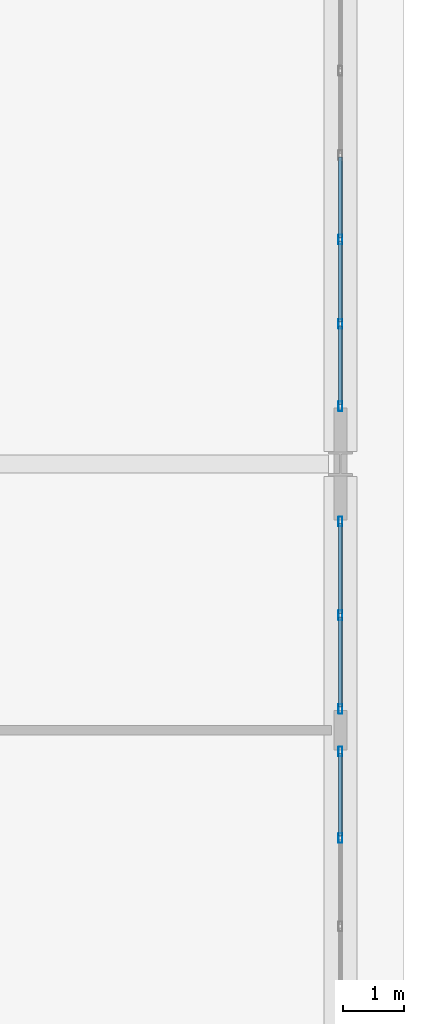
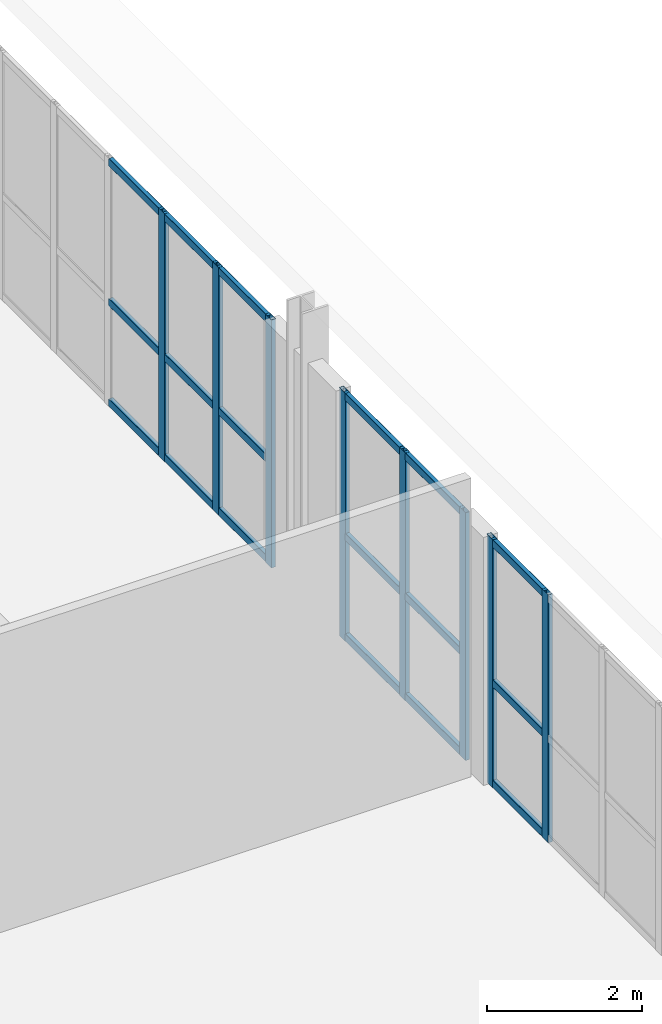
# One storey, part 24 of 36: 26 members, 3 elements without a shape of their own.
"""IFC4 building model written with IfcOpenShell, lengths in metres."""

from ifc_helpers import new_model, si_unit, direction, frame, origin, origin_2d, place, context, subcontext, project, spatial, hollow_rectangle, extrude, material, layer, layer_set, material_profile, profile_set, type_object, element, aggregate, save


model = new_model("IFC4")

# Units and contexts
model_context = context("Model", 3, precision=1e-05, world=origin(), true_north=direction((0.0, 1.0)))
body_context = subcontext(model_context, "Body", "Model", "MODEL_VIEW")
ifc_project = project(units=[si_unit("LENGTHUNIT", "METRE"), si_unit("AREAUNIT", "SQUARE_METRE"), si_unit("VOLUMEUNIT", "CUBIC_METRE"), si_unit("PLANEANGLEUNIT", "RADIAN"), si_unit("MASSUNIT", "GRAM", prefix="KILO")], contexts=[model_context])

# Site, building, storey
site_placement = place(None, origin())
site = spatial("IfcSite", under=ifc_project, at=site_placement, CompositionType="ELEMENT")
building_placement = place(site_placement, origin())
building = spatial("IfcBuilding", under=site, at=building_placement, Name="Kaelvorn Grand Hotel", CompositionType="ELEMENT")
storey_placement = place(building_placement, frame((0.0, 0.0, 305.699951171875)))
storey = spatial("IfcBuildingStorey", under=building, at=storey_placement, Name="L74", CompositionType="ELEMENT", Elevation=305.699951171875)

# Curtain wall, members
ifc_material = material(Name="Anodised Aluminium", Category="aluminium")
ifc_layer = layer(ifc_material, 0.159912109375)
ifc_layer_set = layer_set([ifc_layer], Name="Anodised Aluminium")
curtain_wall_type = type_object("IfcCurtainWallType", Name="CW-SYS6", PredefinedType="NOTDEFINED", material=ifc_layer_set)
curtain_wall_1_placement = place(storey_placement, origin())
curtain_wall_1 = element("IfcCurtainWall", 1, at=curtain_wall_1_placement, inside=storey, type_object=curtain_wall_type, Name="L74 Unitised Curtain Wall CW6 (CW-L74-E-02)", PredefinedType="NOTDEFINED")
ifc_material_profile_1 = material_profile(ifc_material, hollow_rectangle(XDim=0.06494140625, YDim=0.159912109375, WallThickness=0.00341796875, InnerFilletRadius=0.00341796875, OuterFilletRadius=0.007080078125, at=origin_2d()), Name="ALU MULL 65x160")
ifc_profile_set_1 = profile_set([ifc_material_profile_1], Name="Anodised Aluminium")
member_type_1 = type_object("IfcMemberType", Name="CW-SYS6-MULL", PredefinedType="MULLION", material=ifc_profile_set_1)
member_1_placement = place(storey_placement, frame((75.0, 23.219970703125, 0.0), z_axis=(0.0, 0.0, 1.0), x_axis=(-1.0, 0.0, 0.0)))
member_1 = element("IfcMember", 2, at=member_1_placement, type_object=member_type_1, Name="CW6 mullion 6", PredefinedType="MULLION", context=body_context, shape_type="SweptSolid", body=[
    extrude(hollow_rectangle(XDim=0.06494140625, YDim=0.159912109375, WallThickness=0.00341796875, InnerFilletRadius=0.00341796875, OuterFilletRadius=0.007080078125, at=origin_2d()), origin(), (0.0, 0.0, 1.0), 3.900146484375),
])
member_2_placement = place(storey_placement, frame((75.0, 24.6474609375, 0.0), z_axis=(0.0, 0.0, 1.0), x_axis=(-1.0, 0.0, 0.0)))
member_2 = element("IfcMember", 3, at=member_2_placement, type_object=member_type_1, Name="CW6 mullion 7", PredefinedType="MULLION", context=body_context, shape_type="SweptSolid", body=[
    extrude(hollow_rectangle(XDim=0.06494140625, YDim=0.159912109375, WallThickness=0.00341796875, InnerFilletRadius=0.00341796875, OuterFilletRadius=0.007080078125, at=origin_2d()), origin(), (0.0, 0.0, 1.0), 3.900146484375),
])

curtain_wall_2_placement = place(storey_placement, origin())
curtain_wall_2 = element("IfcCurtainWall", 4, at=curtain_wall_2_placement, inside=storey, type_object=curtain_wall_type, Name="L74 Unitised Curtain Wall CW6 (CW-L74-E-03)", PredefinedType="NOTDEFINED")
member_3_placement = place(storey_placement, frame((75.0, 25.3525390625, 0.0), z_axis=(0.0, 0.0, 1.0), x_axis=(-1.0, 0.0, 0.0)))
member_3 = element("IfcMember", 5, at=member_3_placement, type_object=member_type_1, Name="CW6 mullion 1", PredefinedType="MULLION", context=body_context, shape_type="SweptSolid", body=[
    extrude(hollow_rectangle(XDim=0.06494140625, YDim=0.159912109375, WallThickness=0.00341796875, InnerFilletRadius=0.00341796875, OuterFilletRadius=0.007080078125, at=origin_2d()), origin(), (0.0, 0.0, 1.0), 3.900146484375),
])
member_4_placement = place(storey_placement, frame((75.0, 26.89990234375, 0.0), z_axis=(0.0, 0.0, 1.0), x_axis=(-1.0, 0.0, 0.0)))
member_4 = element("IfcMember", 6, at=member_4_placement, type_object=member_type_1, Name="CW6 mullion 2", PredefinedType="MULLION", context=body_context, shape_type="SweptSolid", body=[
    extrude(hollow_rectangle(XDim=0.06494140625, YDim=0.159912109375, WallThickness=0.00341796875, InnerFilletRadius=0.00341796875, OuterFilletRadius=0.007080078125, at=origin_2d()), origin(), (0.0, 0.0, 1.0), 3.900146484375),
])
member_5_placement = place(storey_placement, frame((75.0, 28.447509765625, 0.0), z_axis=(0.0, 0.0, 1.0), x_axis=(-1.0, 0.0, 0.0)))
member_5 = element("IfcMember", 7, at=member_5_placement, type_object=member_type_1, Name="CW6 mullion 3", PredefinedType="MULLION", context=body_context, shape_type="SweptSolid", body=[
    extrude(hollow_rectangle(XDim=0.06494140625, YDim=0.159912109375, WallThickness=0.00341796875, InnerFilletRadius=0.00341796875, OuterFilletRadius=0.007080078125, at=origin_2d()), origin(), (0.0, 0.0, 1.0), 3.900146484375),
])

curtain_wall_3_placement = place(storey_placement, origin())
curtain_wall_3 = element("IfcCurtainWall", 8, at=curtain_wall_3_placement, inside=storey, type_object=curtain_wall_type, Name="L74 Unitised Curtain Wall CW6 (CW-L74-E-04)", PredefinedType="NOTDEFINED")
member_6_placement = place(storey_placement, frame((75.0, 30.3525390625, 0.0), z_axis=(0.0, 0.0, 1.0), x_axis=(-1.0, 0.0, 0.0)))
member_6 = element("IfcMember", 9, at=member_6_placement, type_object=member_type_1, Name="CW6 mullion 1", PredefinedType="MULLION", context=body_context, shape_type="SweptSolid", body=[
    extrude(hollow_rectangle(XDim=0.06494140625, YDim=0.159912109375, WallThickness=0.00341796875, InnerFilletRadius=0.00341796875, OuterFilletRadius=0.007080078125, at=origin_2d()), origin(), (0.0, 0.0, 1.0), 3.900146484375),
])
member_7_placement = place(storey_placement, frame((75.0, 31.71337890625, 0.0), z_axis=(0.0, 0.0, 1.0), x_axis=(-1.0, 0.0, 0.0)))
member_7 = element("IfcMember", 10, at=member_7_placement, type_object=member_type_1, Name="CW6 mullion 2", PredefinedType="MULLION", context=body_context, shape_type="SweptSolid", body=[
    extrude(hollow_rectangle(XDim=0.06494140625, YDim=0.159912109375, WallThickness=0.00341796875, InnerFilletRadius=0.00341796875, OuterFilletRadius=0.007080078125, at=origin_2d()), origin(), (0.0, 0.0, 1.0), 3.900146484375),
])
member_8_placement = place(storey_placement, frame((75.0, 33.106689453125, 0.0), z_axis=(0.0, 0.0, 1.0), x_axis=(-1.0, 0.0, 0.0)))
member_8 = element("IfcMember", 11, at=member_8_placement, type_object=member_type_1, Name="CW6 mullion 3", PredefinedType="MULLION", context=body_context, shape_type="SweptSolid", body=[
    extrude(hollow_rectangle(XDim=0.06494140625, YDim=0.159912109375, WallThickness=0.00341796875, InnerFilletRadius=0.00341796875, OuterFilletRadius=0.007080078125, at=origin_2d()), origin(), (0.0, 0.0, 1.0), 3.900146484375),
])

# Member
ifc_material_profile_2 = material_profile(ifc_material, hollow_rectangle(XDim=0.06494140625, YDim=0.1201171875, WallThickness=0.00341796875, InnerFilletRadius=0.00341796875, OuterFilletRadius=0.007080078125, at=origin_2d()), Name="ALU TRAN 65x120")
ifc_profile_set_2 = profile_set([ifc_material_profile_2], Name="Anodised Aluminium")
member_type_2 = type_object("IfcMemberType", Name="CW-SYS6-TRAN", PredefinedType="NOTDEFINED", material=ifc_profile_set_2)
member_9_placement = place(storey_placement, frame((75.0, 23.25244140625, 0.06005859375), z_axis=(0.0, 1.0, 0.0), x_axis=(-1.0, 0.0, 0.0)))
member_9 = element("IfcMember", 12, at=member_9_placement, type_object=member_type_2, Name="CW6 transom 6.1", ObjectType="TRANSOM", PredefinedType="USERDEFINED", context=body_context, shape_type="SweptSolid", body=[
    extrude(hollow_rectangle(XDim=0.06494140625, YDim=0.1201171875, WallThickness=0.00341796875, InnerFilletRadius=0.00341796875, OuterFilletRadius=0.007080078125, at=origin_2d()), origin(), (0.0, 0.0, 1.0), 1.362548828125),
])

member_10_placement = place(storey_placement, frame((75.0, 23.25244140625, 1.637939453125), z_axis=(0.0, 1.0, 0.0), x_axis=(-1.0, 0.0, 0.0)))
member_10 = element("IfcMember", 13, at=member_10_placement, type_object=member_type_2, Name="CW6 transom 6.2", ObjectType="TRANSOM", PredefinedType="USERDEFINED", context=body_context, shape_type="SweptSolid", body=[
    extrude(hollow_rectangle(XDim=0.06494140625, YDim=0.1201171875, WallThickness=0.00341796875, InnerFilletRadius=0.00341796875, OuterFilletRadius=0.007080078125, at=origin_2d()), origin(), (0.0, 0.0, 1.0), 1.362548828125),
])

member_11_placement = place(storey_placement, frame((75.0, 23.25244140625, 3.840087890625), z_axis=(0.0, 1.0, 0.0), x_axis=(-1.0, 0.0, 0.0)))
member_11 = element("IfcMember", 14, at=member_11_placement, type_object=member_type_2, Name="CW6 transom 6.3", ObjectType="TRANSOM", PredefinedType="USERDEFINED", context=body_context, shape_type="SweptSolid", body=[
    extrude(hollow_rectangle(XDim=0.06494140625, YDim=0.1201171875, WallThickness=0.00341796875, InnerFilletRadius=0.00341796875, OuterFilletRadius=0.007080078125, at=origin_2d()), origin(), (0.0, 0.0, 1.0), 1.362548828125),
])

aggregate(curtain_wall_1, [member_1, member_2, member_9, member_10, member_11])

member_12_placement = place(storey_placement, frame((75.0, 25.385009765625, 0.06005859375), z_axis=(0.0, 1.0, 0.0), x_axis=(-1.0, 0.0, 0.0)))
member_12 = element("IfcMember", 15, at=member_12_placement, type_object=member_type_2, Name="CW6 transom 1.1", ObjectType="TRANSOM", PredefinedType="USERDEFINED", context=body_context, shape_type="SweptSolid", body=[
    extrude(hollow_rectangle(XDim=0.06494140625, YDim=0.1201171875, WallThickness=0.00341796875, InnerFilletRadius=0.00341796875, OuterFilletRadius=0.007080078125, at=origin_2d()), origin(), (0.0, 0.0, 1.0), 1.482421875),
])

member_13_placement = place(storey_placement, frame((75.0, 25.385009765625, 1.637939453125), z_axis=(0.0, 1.0, 0.0), x_axis=(-1.0, 0.0, 0.0)))
member_13 = element("IfcMember", 16, at=member_13_placement, type_object=member_type_2, Name="CW6 transom 1.2", ObjectType="TRANSOM", PredefinedType="USERDEFINED", context=body_context, shape_type="SweptSolid", body=[
    extrude(hollow_rectangle(XDim=0.06494140625, YDim=0.1201171875, WallThickness=0.00341796875, InnerFilletRadius=0.00341796875, OuterFilletRadius=0.007080078125, at=origin_2d()), origin(), (0.0, 0.0, 1.0), 1.482421875),
])

member_14_placement = place(storey_placement, frame((75.0, 25.385009765625, 3.840087890625), z_axis=(0.0, 1.0, 0.0), x_axis=(-1.0, 0.0, 0.0)))
member_14 = element("IfcMember", 17, at=member_14_placement, type_object=member_type_2, Name="CW6 transom 1.3", ObjectType="TRANSOM", PredefinedType="USERDEFINED", context=body_context, shape_type="SweptSolid", body=[
    extrude(hollow_rectangle(XDim=0.06494140625, YDim=0.1201171875, WallThickness=0.00341796875, InnerFilletRadius=0.00341796875, OuterFilletRadius=0.007080078125, at=origin_2d()), origin(), (0.0, 0.0, 1.0), 1.482421875),
])

member_15_placement = place(storey_placement, frame((75.0, 26.9326171875, 0.06005859375), z_axis=(0.0, 1.0, 0.0), x_axis=(-1.0, 0.0, 0.0)))
member_15 = element("IfcMember", 18, at=member_15_placement, type_object=member_type_2, Name="CW6 transom 2.1", ObjectType="TRANSOM", PredefinedType="USERDEFINED", context=body_context, shape_type="SweptSolid", body=[
    extrude(hollow_rectangle(XDim=0.06494140625, YDim=0.1201171875, WallThickness=0.00341796875, InnerFilletRadius=0.00341796875, OuterFilletRadius=0.007080078125, at=origin_2d()), origin(), (0.0, 0.0, 1.0), 1.482421875),
])

member_16_placement = place(storey_placement, frame((75.0, 26.9326171875, 1.637939453125), z_axis=(0.0, 1.0, 0.0), x_axis=(-1.0, 0.0, 0.0)))
member_16 = element("IfcMember", 19, at=member_16_placement, type_object=member_type_2, Name="CW6 transom 2.2", ObjectType="TRANSOM", PredefinedType="USERDEFINED", context=body_context, shape_type="SweptSolid", body=[
    extrude(hollow_rectangle(XDim=0.06494140625, YDim=0.1201171875, WallThickness=0.00341796875, InnerFilletRadius=0.00341796875, OuterFilletRadius=0.007080078125, at=origin_2d()), origin(), (0.0, 0.0, 1.0), 1.482421875),
])

member_17_placement = place(storey_placement, frame((75.0, 26.9326171875, 3.840087890625), z_axis=(0.0, 1.0, 0.0), x_axis=(-1.0, 0.0, 0.0)))
member_17 = element("IfcMember", 20, at=member_17_placement, type_object=member_type_2, Name="CW6 transom 2.3", ObjectType="TRANSOM", PredefinedType="USERDEFINED", context=body_context, shape_type="SweptSolid", body=[
    extrude(hollow_rectangle(XDim=0.06494140625, YDim=0.1201171875, WallThickness=0.00341796875, InnerFilletRadius=0.00341796875, OuterFilletRadius=0.007080078125, at=origin_2d()), origin(), (0.0, 0.0, 1.0), 1.482421875),
])

aggregate(curtain_wall_2, [member_3, member_4, member_5, member_12, member_13, member_14, member_15, member_16, member_17])

member_18_placement = place(storey_placement, frame((75.0, 30.385009765625, 0.06005859375), z_axis=(0.0, 1.0, 0.0), x_axis=(-1.0, 0.0, 0.0)))
member_18 = element("IfcMember", 21, at=member_18_placement, type_object=member_type_2, Name="CW6 transom 1.1", ObjectType="TRANSOM", PredefinedType="USERDEFINED", context=body_context, shape_type="SweptSolid", body=[
    extrude(hollow_rectangle(XDim=0.06494140625, YDim=0.1201171875, WallThickness=0.00341796875, InnerFilletRadius=0.00341796875, OuterFilletRadius=0.007080078125, at=origin_2d()), origin(), (0.0, 0.0, 1.0), 1.2958984375),
])

member_19_placement = place(storey_placement, frame((75.0, 30.385009765625, 1.637939453125), z_axis=(0.0, 1.0, 0.0), x_axis=(-1.0, 0.0, 0.0)))
member_19 = element("IfcMember", 22, at=member_19_placement, type_object=member_type_2, Name="CW6 transom 1.2", ObjectType="TRANSOM", PredefinedType="USERDEFINED", context=body_context, shape_type="SweptSolid", body=[
    extrude(hollow_rectangle(XDim=0.06494140625, YDim=0.1201171875, WallThickness=0.00341796875, InnerFilletRadius=0.00341796875, OuterFilletRadius=0.007080078125, at=origin_2d()), origin(), (0.0, 0.0, 1.0), 1.2958984375),
])

member_20_placement = place(storey_placement, frame((75.0, 30.385009765625, 3.840087890625), z_axis=(0.0, 1.0, 0.0), x_axis=(-1.0, 0.0, 0.0)))
member_20 = element("IfcMember", 23, at=member_20_placement, type_object=member_type_2, Name="CW6 transom 1.3", ObjectType="TRANSOM", PredefinedType="USERDEFINED", context=body_context, shape_type="SweptSolid", body=[
    extrude(hollow_rectangle(XDim=0.06494140625, YDim=0.1201171875, WallThickness=0.00341796875, InnerFilletRadius=0.00341796875, OuterFilletRadius=0.007080078125, at=origin_2d()), origin(), (0.0, 0.0, 1.0), 1.2958984375),
])

member_21_placement = place(storey_placement, frame((75.0, 31.745849609375, 0.06005859375), z_axis=(0.0, 1.0, 0.0), x_axis=(-1.0, 0.0, 0.0)))
member_21 = element("IfcMember", 24, at=member_21_placement, type_object=member_type_2, Name="CW6 transom 2.1", ObjectType="TRANSOM", PredefinedType="USERDEFINED", context=body_context, shape_type="SweptSolid", body=[
    extrude(hollow_rectangle(XDim=0.06494140625, YDim=0.1201171875, WallThickness=0.00341796875, InnerFilletRadius=0.00341796875, OuterFilletRadius=0.007080078125, at=origin_2d()), origin(), (0.0, 0.0, 1.0), 1.328369140625),
])

member_22_placement = place(storey_placement, frame((75.0, 31.745849609375, 1.637939453125), z_axis=(0.0, 1.0, 0.0), x_axis=(-1.0, 0.0, 0.0)))
member_22 = element("IfcMember", 25, at=member_22_placement, type_object=member_type_2, Name="CW6 transom 2.2", ObjectType="TRANSOM", PredefinedType="USERDEFINED", context=body_context, shape_type="SweptSolid", body=[
    extrude(hollow_rectangle(XDim=0.06494140625, YDim=0.1201171875, WallThickness=0.00341796875, InnerFilletRadius=0.00341796875, OuterFilletRadius=0.007080078125, at=origin_2d()), origin(), (0.0, 0.0, 1.0), 1.328369140625),
])

member_23_placement = place(storey_placement, frame((75.0, 31.745849609375, 3.840087890625), z_axis=(0.0, 1.0, 0.0), x_axis=(-1.0, 0.0, 0.0)))
member_23 = element("IfcMember", 26, at=member_23_placement, type_object=member_type_2, Name="CW6 transom 2.3", ObjectType="TRANSOM", PredefinedType="USERDEFINED", context=body_context, shape_type="SweptSolid", body=[
    extrude(hollow_rectangle(XDim=0.06494140625, YDim=0.1201171875, WallThickness=0.00341796875, InnerFilletRadius=0.00341796875, OuterFilletRadius=0.007080078125, at=origin_2d()), origin(), (0.0, 0.0, 1.0), 1.328369140625),
])

member_24_placement = place(storey_placement, frame((75.0, 33.13916015625, 0.06005859375), z_axis=(0.0, 1.0, 0.0), x_axis=(-1.0, 0.0, 0.0)))
member_24 = element("IfcMember", 27, at=member_24_placement, type_object=member_type_2, Name="CW6 transom 3.1", ObjectType="TRANSOM", PredefinedType="USERDEFINED", context=body_context, shape_type="SweptSolid", body=[
    extrude(hollow_rectangle(XDim=0.06494140625, YDim=0.1201171875, WallThickness=0.00341796875, InnerFilletRadius=0.00341796875, OuterFilletRadius=0.007080078125, at=origin_2d()), origin(), (0.0, 0.0, 1.0), 1.328369140625),
])

member_25_placement = place(storey_placement, frame((75.0, 33.13916015625, 1.637939453125), z_axis=(0.0, 1.0, 0.0), x_axis=(-1.0, 0.0, 0.0)))
member_25 = element("IfcMember", 28, at=member_25_placement, type_object=member_type_2, Name="CW6 transom 3.2", ObjectType="TRANSOM", PredefinedType="USERDEFINED", context=body_context, shape_type="SweptSolid", body=[
    extrude(hollow_rectangle(XDim=0.06494140625, YDim=0.1201171875, WallThickness=0.00341796875, InnerFilletRadius=0.00341796875, OuterFilletRadius=0.007080078125, at=origin_2d()), origin(), (0.0, 0.0, 1.0), 1.328369140625),
])

member_26_placement = place(storey_placement, frame((75.0, 33.13916015625, 3.840087890625), z_axis=(0.0, 1.0, 0.0), x_axis=(-1.0, 0.0, 0.0)))
member_26 = element("IfcMember", 29, at=member_26_placement, type_object=member_type_2, Name="CW6 transom 3.3", ObjectType="TRANSOM", PredefinedType="USERDEFINED", context=body_context, shape_type="SweptSolid", body=[
    extrude(hollow_rectangle(XDim=0.06494140625, YDim=0.1201171875, WallThickness=0.00341796875, InnerFilletRadius=0.00341796875, OuterFilletRadius=0.007080078125, at=origin_2d()), origin(), (0.0, 0.0, 1.0), 1.328369140625),
])

aggregate(curtain_wall_3, [member_6, member_7, member_8, member_18, member_19, member_20, member_21, member_22, member_23, member_24, member_25, member_26])

save(model, "model.ifc")
